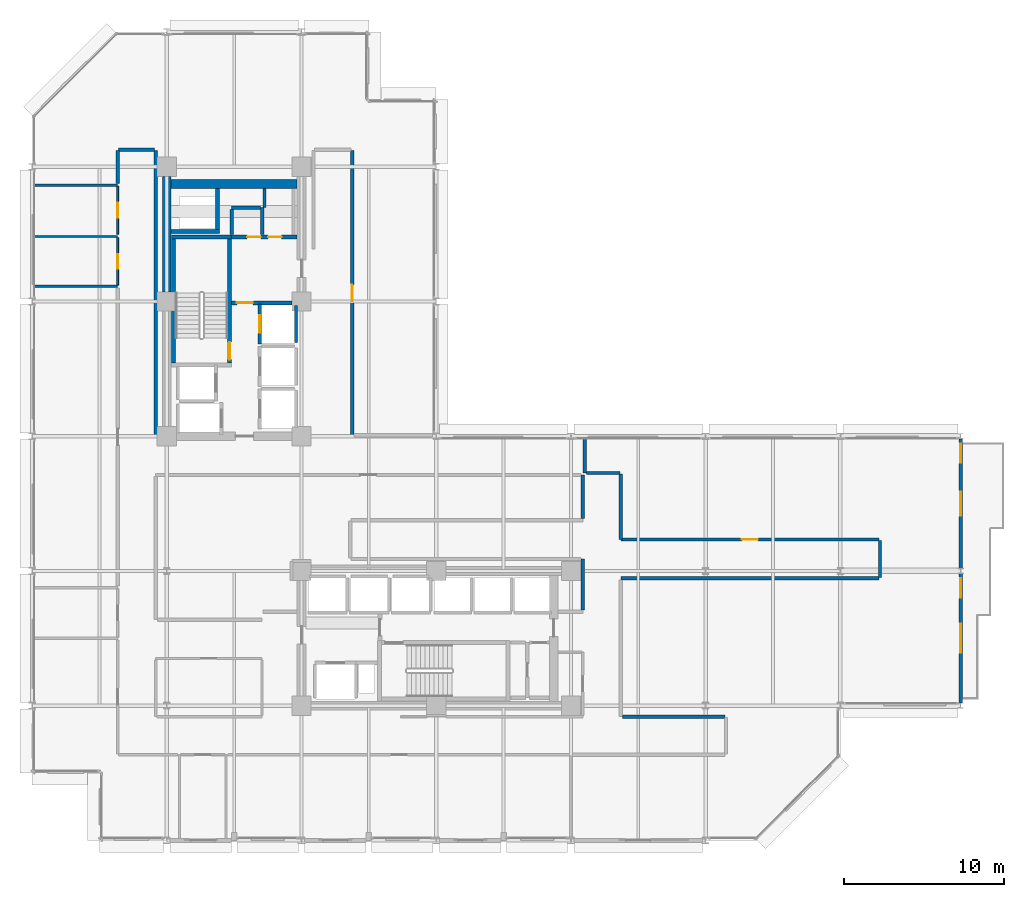
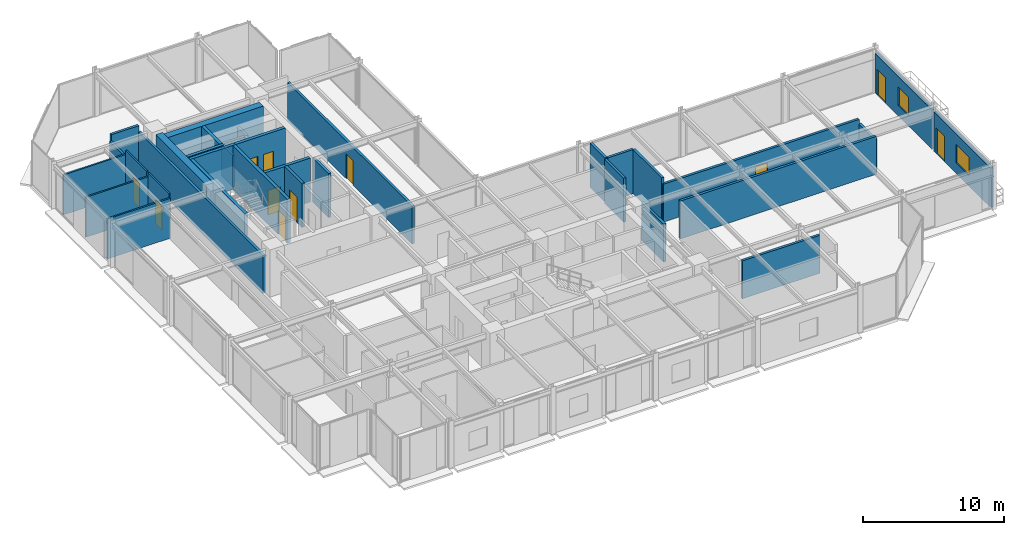
# One storey, part 34 of 39: 35 walls, 11 doors, 2 windows, 13 openings.
"""IFC4 building model written with IfcOpenShell, lengths in metres."""

from ifc_helpers import new_model, si_unit, direction, frame, frame_2d, origin, place, context, subcontext, project, spatial, rectangle, extrude, material, layer, layer_set, type_object, element, fill, save


model = new_model("IFC4")

# Units and contexts
model_context = context("Model", 3, precision=1e-05, world=origin(), true_north=direction((0.0, 1.0)))
body_context = subcontext(model_context, "Body", "Model", "MODEL_VIEW")
ifc_project = project(units=[si_unit("LENGTHUNIT", "METRE"), si_unit("AREAUNIT", "SQUARE_METRE"), si_unit("VOLUMEUNIT", "CUBIC_METRE"), si_unit("PLANEANGLEUNIT", "RADIAN"), si_unit("MASSUNIT", "GRAM", prefix="KILO")], contexts=[model_context])

# Site, building, storey
site_placement = place(None, origin())
site = spatial("IfcSite", under=ifc_project, at=site_placement, CompositionType="ELEMENT")
building_placement = place(site_placement, origin())
building = spatial("IfcBuilding", under=site, at=building_placement, Name="Nerrivon Quay Data Exchange", CompositionType="ELEMENT")
storey_placement = place(building_placement, frame((0.0, 0.0, 104.89990234375)))
storey = spatial("IfcBuildingStorey", under=building, at=storey_placement, Name="L24", CompositionType="ELEMENT", Elevation=104.89990234375)

# Wall, openings, door, window
ifc_material_1 = material(Name="Architectural terracotta precast concrete N50 (50 MPa)", Category="masonry")
ifc_layer_1 = layer(ifc_material_1, 0.239990234375)
ifc_layer_set_1 = layer_set([ifc_layer_1], Name="Architectural terracotta precast concrete N50 (50 MPa)")
wall_type_1 = type_object("IfcWallType", Name="EW-PREC-240", PredefinedType="STANDARD", material=ifc_layer_set_1)
wall_1_placement = place(storey_placement, frame((57.89990234375, 25.03662109375, 0.0), z_axis=(0.0, 0.0, 1.0), x_axis=(0.0, -1.0, 0.0)))
wall_1 = element("IfcWall", 1, at=wall_1_placement, inside=storey, type_object=wall_type_1, Name="L24 Terrace Host Wall 1", PredefinedType="STANDARD", context=body_context, shape_type="SweptSolid", body=[
    extrude(rectangle(XDim=8.0732421875, YDim=0.239990234375, at=frame_2d((4.03662109375, 0.0))), origin(), (0.0, 0.0, 1.0), 3.422119140625),
])
opening_1_placement = place(wall_1_placement, frame((0.300048828125, 0.0, 0.0)))
opening_1 = element("IfcOpeningElement", 2, at=opening_1_placement, cuts=wall_1, Name="Opening TD1", PredefinedType="OPENING", context=body_context, shape_type="SweptSolid", body=[
    extrude(rectangle(XDim=1.199951171875, YDim=2.199951171875, at=frame_2d((0.60009765625, 1.10009765625))), frame((0.0, 0.1298828125, 0.0), z_axis=(0.0, -1.0, 0.0), x_axis=(1.0, 0.0, 0.0)), (0.0, 0.0, 1.0), 0.260009765625),
])
opening_2_placement = place(wall_1_placement, frame((3.28662109375, 0.0, 0.89990234375)))
opening_2 = element("IfcOpeningElement", 3, at=opening_2_placement, cuts=wall_1, Name="Opening WN4", PredefinedType="OPENING", context=body_context, shape_type="SweptSolid", body=[
    extrude(rectangle(XDim=1.5, YDim=1.60009765625, at=frame_2d((0.75, 0.800048828125))), frame((0.0, 0.1298828125, 0.0), z_axis=(0.0, -1.0, 0.0), x_axis=(1.0, 0.0, 0.0)), (0.0, 0.0, 1.0), 0.260009765625),
])
ifc_material_2 = material(Name="Double-glazed low-E solar control glass", Category="glass")
door_type_1 = type_object("IfcDoorType", Name="DR-TERR-1200x2200", OperationType="NOTDEFINED", PredefinedType="DOOR", material=ifc_material_2)
door_1_placement = place(opening_1_placement, origin())
door_1 = element("IfcDoor", 4, at=door_1_placement, inside=storey, type_object=door_type_1, Name="L24 Outdoor Terrace Access Door 1", OperationType="SINGLE_SWING_RIGHT", OverallHeight=2.199951171875, OverallWidth=1.199951171875, PredefinedType="DOOR", context=body_context, shape_type="SweptSolid", body=[
    extrude(rectangle(XDim=1.199951171875, YDim=2.199951171875, at=frame_2d((0.60009765625, 1.10009765625))), frame((0.0, 0.02490234375, 0.0), z_axis=(0.0, -1.0, 0.0), x_axis=(1.0, 0.0, 0.0)), (0.0, 0.0, 1.0), 0.050048828125),
])
fill(opening_1, door_1)
window_type_1 = type_object("IfcWindowType", Name="WIN-W4-1500x1600", PartitioningType="SINGLE_PANEL", PredefinedType="WINDOW", material=ifc_material_2)
window_1_placement = place(opening_2_placement, origin())
window_1 = element("IfcWindow", 5, at=window_1_placement, inside=storey, type_object=window_type_1, Name="L24 Terrace Side Window 1", OverallHeight=1.60009765625, OverallWidth=1.5, PartitioningType="SINGLE_PANEL", PredefinedType="WINDOW", context=body_context, shape_type="SweptSolid", body=[
    extrude(rectangle(XDim=1.5, YDim=1.60009765625, at=frame_2d((0.75, 0.800048828125))), frame((0.0, 0.030029296875, 0.0), z_axis=(0.0, -1.0, 0.0), x_axis=(1.0, 0.0, 0.0)), (0.0, 0.0, 1.0), 0.06005859375),
])
fill(opening_2, window_1)

wall_2_placement = place(storey_placement, frame((57.89990234375, 16.636474609375, 0.0), z_axis=(0.0, 0.0, 1.0), x_axis=(0.0, -1.0, 0.0)))
wall_2 = element("IfcWall", 6, at=wall_2_placement, inside=storey, type_object=wall_type_1, Name="L24 Terrace Host Wall 2", PredefinedType="STANDARD", context=body_context, shape_type="SweptSolid", body=[
    extrude(rectangle(XDim=8.072998046875, YDim=0.239990234375, at=frame_2d((4.03662109375, 0.0))), origin(), (0.0, 0.0, 1.0), 3.422119140625),
])
opening_3_placement = place(wall_2_placement, frame((0.300048828125, 0.0, 0.0)))
opening_3 = element("IfcOpeningElement", 7, at=opening_3_placement, cuts=wall_2, Name="Opening TD1", PredefinedType="OPENING", context=body_context, shape_type="SweptSolid", body=[
    extrude(rectangle(XDim=1.199951171875, YDim=2.199951171875, at=frame_2d((0.60009765625, 1.10009765625))), frame((0.0, 0.1298828125, 0.0), z_axis=(0.0, -1.0, 0.0), x_axis=(1.0, 0.0, 0.0)), (0.0, 0.0, 1.0), 0.260009765625),
])
opening_4_placement = place(wall_2_placement, frame((3.136474609375, 0.0, 0.89990234375)))
opening_4 = element("IfcOpeningElement", 8, at=opening_4_placement, cuts=wall_2, Name="Opening WN2", PredefinedType="OPENING", context=body_context, shape_type="SweptSolid", body=[
    extrude(rectangle(XDim=1.800048828125, YDim=1.60009765625, at=frame_2d((0.89990234375, 0.800048828125))), frame((0.0, 0.1298828125, 0.0), z_axis=(0.0, -1.0, 0.0), x_axis=(1.0, 0.0, 0.0)), (0.0, 0.0, 1.0), 0.260009765625),
])
door_2_placement = place(opening_3_placement, origin())
door_2 = element("IfcDoor", 9, at=door_2_placement, inside=storey, type_object=door_type_1, Name="L24 Outdoor Terrace Access Door 2", OperationType="SINGLE_SWING_LEFT", OverallHeight=2.199951171875, OverallWidth=1.199951171875, PredefinedType="DOOR", context=body_context, shape_type="SweptSolid", body=[
    extrude(rectangle(XDim=1.199951171875, YDim=2.199951171875, at=frame_2d((0.60009765625, 1.10009765625))), frame((0.0, 0.02490234375, 0.0), z_axis=(0.0, -1.0, 0.0), x_axis=(1.0, 0.0, 0.0)), (0.0, 0.0, 1.0), 0.050048828125),
])
fill(opening_3, door_2)
window_type_2 = type_object("IfcWindowType", Name="WIN-W2-1800x1600", PartitioningType="SINGLE_PANEL", PredefinedType="WINDOW", material=ifc_material_2)
window_2_placement = place(opening_4_placement, origin())
window_2 = element("IfcWindow", 10, at=window_2_placement, inside=storey, type_object=window_type_2, Name="L24 Terrace Side Window 2", OverallHeight=1.60009765625, OverallWidth=1.800048828125, PartitioningType="SINGLE_PANEL", PredefinedType="WINDOW", context=body_context, shape_type="SweptSolid", body=[
    extrude(rectangle(XDim=1.800048828125, YDim=1.60009765625, at=frame_2d((0.89990234375, 0.800048828125))), frame((0.0, 0.030029296875, 0.0), z_axis=(0.0, -1.0, 0.0), x_axis=(1.0, 0.0, 0.0)), (0.0, 0.0, 1.0), 0.06005859375),
])
fill(opening_4, window_2)

# Walls
ifc_material_3 = material(Name="Concrete S65 (65 MPa)", Category="concrete")
ifc_layer_2 = layer(ifc_material_3, 0.550048828125)
ifc_layer_set_2 = layer_set([ifc_layer_2], Name="Concrete S65 (65 MPa)")
wall_type_2 = type_object("IfcWallType", Name="WALL-CW-700", PredefinedType="SHEAR", material=ifc_layer_set_2)
wall_3_placement = place(storey_placement, frame((8.39990234375, 34.199951171875, 0.0), z_axis=(0.0, 0.0, 1.0), x_axis=(0.0, 1.0, 0.0)))
element("IfcWall", 11, at=wall_3_placement, inside=storey, type_object=wall_type_2, Name="L24 West Split-Core Shear Wall WCW-W2", PredefinedType="SHEAR", context=body_context, shape_type="SweptSolid", body=[
    extrude(rectangle(XDim=7.199951171875, YDim=0.550048828125, at=frame_2d((3.60009765625, 0.0))), origin(), (0.0, 0.0, 1.0), 3.8251953125),
])
wall_4_placement = place(storey_placement, frame((8.675048828125, 40.925048828125, 0.0), z_axis=(0.0, 0.0, 1.0), x_axis=(1.0, 0.0, 0.0)))
element("IfcWall", 12, at=wall_4_placement, inside=storey, type_object=wall_type_2, Name="L24 West Split-Core Shear Wall WCW-N1", PredefinedType="SHEAR", context=body_context, shape_type="SweptSolid", body=[
    extrude(rectangle(XDim=7.849853515625, YDim=0.550048828125, at=frame_2d((3.9248046875, 0.0))), origin(), (0.0, 0.0, 1.0), 3.8251953125),
])

# Wall, opening, door
ifc_material_4 = material(Name="Gypsum plasterboard on cold-formed framing", Category="gypsum")
ifc_layer_3 = layer(ifc_material_4, 0.199951171875)
ifc_layer_set_3 = layer_set([ifc_layer_3], Name="Gypsum plasterboard on cold-formed framing")
wall_type_3 = type_object("IfcWallType", Name="WALL-FW-200", PredefinedType="PARTITIONING", material=ifc_layer_set_3)
wall_5_placement = place(storey_placement, frame((14.199951171875, 30.949951171875, 0.0), z_axis=(0.0, 0.0, 1.0), x_axis=(0.0, 1.0, 0.0)))
wall_5 = element("IfcWall", 13, at=wall_5_placement, inside=storey, type_object=wall_type_3, Name="L24 Lift Front Wall PL3", PredefinedType="PARTITIONING", context=body_context, shape_type="SweptSolid", body=[
    extrude(rectangle(XDim=2.5, YDim=0.199951171875, at=frame_2d((1.25, 0.0))), origin(), (0.0, 0.0, 1.0), 3.8251953125),
])
opening_5_placement = place(wall_5_placement, frame((0.699951171875, 0.0, 0.0)))
opening_5 = element("IfcOpeningElement", 14, at=opening_5_placement, cuts=wall_5, Name="Opening LD-120", PredefinedType="OPENING", context=body_context, shape_type="SweptSolid", body=[
    extrude(rectangle(XDim=1.10009765625, YDim=2.199951171875, at=frame_2d((0.550048828125, 1.10009765625))), frame((0.0, 0.10986328125, 0.0), z_axis=(0.0, -1.0, 0.0), x_axis=(1.0, 0.0, 0.0)), (0.0, 0.0, 1.0), 0.219970703125),
])
ifc_material_5 = material(Name="Powder-coated galvanized steel sheet", Category="steel")
door_type_2 = type_object("IfcDoorType", Name="DR-LIFT-LD120", OperationType="DOUBLE_DOOR_SLIDING", PredefinedType="DOOR", material=ifc_material_5)
door_3_placement = place(opening_5_placement, origin())
door_3 = element("IfcDoor", 15, at=door_3_placement, inside=storey, type_object=door_type_2, Name="L24 Lift Landing Sliding Door PL3", OperationType="DOUBLE_DOOR_SLIDING", OverallHeight=2.199951171875, OverallWidth=1.10009765625, PredefinedType="DOOR", context=body_context, shape_type="SweptSolid", body=[
    extrude(rectangle(XDim=1.10009765625, YDim=2.199951171875, at=frame_2d((0.550048828125, 1.10009765625))), frame((0.0, 0.02490234375, 0.0), z_axis=(0.0, -1.0, 0.0), x_axis=(1.0, 0.0, 0.0)), (0.0, 0.0, 1.0), 0.050048828125),
])
fill(opening_5, door_3)

# Walls
wall_6_placement = place(storey_placement, frame((16.449951171875, 31.050048828125, 0.0), z_axis=(0.0, 0.0, 1.0), x_axis=(0.0, 1.0, 0.0)))
element("IfcWall", 16, at=wall_6_placement, inside=storey, type_object=wall_type_3, Name="L24 Lift Shaft Wall PL3 EAST", PredefinedType="PARTITIONING", context=body_context, shape_type="SweptSolid", body=[
    extrude(rectangle(XDim=2.300048828125, YDim=0.199951171875, at=frame_2d((1.14990234375, 0.0))), origin(), (0.0, 0.0, 1.0), 3.8251953125),
])
wall_7_placement = place(storey_placement, frame((14.35009765625, 37.780029296875, 0.0), z_axis=(0.0, 0.0, 1.0), x_axis=(0.0, 1.0, 0.0)))
element("IfcWall", 17, at=wall_7_placement, inside=storey, type_object=wall_type_3, Name="L24 Partition Equipment Store", PredefinedType="PARTITIONING", context=body_context, shape_type="SweptSolid", body=[
    extrude(rectangle(XDim=1.669921875, YDim=0.199951171875, at=frame_2d((0.8349609375, 0.0))), origin(), (0.0, 0.0, 1.0), 2.72509765625),
])
wall_8_placement = place(storey_placement, frame((14.24609375, 39.449951171875, 0.0), z_axis=(0.0, 0.0, 1.0), x_axis=(-1.0, 0.0, 0.0)))
element("IfcWall", 18, at=wall_8_placement, inside=storey, type_object=wall_type_3, Name="L24 Partition Equipment Store", PredefinedType="PARTITIONING", context=body_context, shape_type="SweptSolid", body=[
    extrude(rectangle(XDim=1.796142578125, YDim=0.199951171875, at=frame_2d((0.89794921875, 0.0))), origin(), (0.0, 0.0, 1.0), 2.72509765625),
])
wall_9_placement = place(storey_placement, frame((12.449951171875, 39.345947265625, 0.0), z_axis=(0.0, 0.0, 1.0), x_axis=(0.0, -1.0, 0.0)))
element("IfcWall", 19, at=wall_9_placement, inside=storey, type_object=wall_type_3, Name="L24 Partition Equipment Store", PredefinedType="PARTITIONING", context=body_context, shape_type="SweptSolid", body=[
    extrude(rectangle(XDim=1.56591796875, YDim=0.199951171875, at=frame_2d((0.782958984375, 0.0))), origin(), (0.0, 0.0, 1.0), 2.72509765625),
])
wall_10_placement = place(storey_placement, frame((14.489990234375, 40.64599609375, 0.0), z_axis=(0.0, 0.0, 1.0), x_axis=(0.0, -1.0, 0.0)))
element("IfcWall", 20, at=wall_10_placement, inside=storey, type_object=wall_type_3, Name="L24 Partition Cleaners Store", PredefinedType="PARTITIONING", context=body_context, shape_type="SweptSolid", body=[
    extrude(rectangle(XDim=1.196044921875, YDim=0.199951171875, at=frame_2d((0.59814453125, 0.0))), origin(), (0.0, 0.0, 1.0), 2.72509765625),
])
wall_11_placement = place(storey_placement, frame((34.340087890625, 14.364013671875, 0.0), z_axis=(0.0, 0.0, 1.0), x_axis=(0.0, 1.0, 0.0)))
element("IfcWall", 21, at=wall_11_placement, inside=storey, type_object=wall_type_3, Name="L24 Partition Colocation Data Workspace 6", PredefinedType="PARTITIONING", context=body_context, shape_type="SweptSolid", body=[
    extrude(rectangle(XDim=3.176025390625, YDim=0.199951171875, at=frame_2d((1.587890625, 0.0))), origin(), (0.0, 0.0, 1.0), 3.2919921875),
])
wall_12_placement = place(storey_placement, frame((34.340087890625, 20.06396484375, 0.0), z_axis=(0.0, 0.0, 1.0), x_axis=(0.0, 1.0, 0.0)))
element("IfcWall", 22, at=wall_12_placement, inside=storey, type_object=wall_type_3, Name="L24 Partition Colocation Data Workspace 6", PredefinedType="PARTITIONING", context=body_context, shape_type="SweptSolid", body=[
    extrude(rectangle(XDim=2.72607421875, YDim=0.199951171875, at=frame_2d((1.363037109375, 0.0))), origin(), (0.0, 0.0, 1.0), 3.8251953125),
])
wall_13_placement = place(storey_placement, frame((5.340087890625, 40.969970703125, 0.0), z_axis=(0.0, 0.0, 1.0), x_axis=(0.0, 1.0, 0.0)))
element("IfcWall", 23, at=wall_13_placement, inside=storey, type_object=wall_type_3, Name="L24 Partition Colocation Data Workspace 7", PredefinedType="PARTITIONING", context=body_context, shape_type="SweptSolid", body=[
    extrude(rectangle(XDim=2.030029296875, YDim=0.199951171875, at=frame_2d((1.01513671875, 0.0))), origin(), (0.0, 0.0, 1.0), 3.2919921875),
])
wall_14_placement = place(storey_placement, frame((5.39990234375, 43.06005859375, 0.0), z_axis=(0.0, 0.0, 1.0), x_axis=(1.0, 0.0, 0.0)))
element("IfcWall", 24, at=wall_14_placement, inside=storey, type_object=wall_type_3, Name="L24 Partition Colocation Data Workspace 7", PredefinedType="PARTITIONING", context=body_context, shape_type="SweptSolid", body=[
    extrude(rectangle(XDim=2.25, YDim=0.199951171875, at=frame_2d((1.125, 0.0))), origin(), (0.0, 0.0, 1.0), 3.8251953125),
])
wall_15_placement = place(storey_placement, frame((7.7099609375, 43.0, 0.0), z_axis=(0.0, 0.0, 1.0), x_axis=(0.0, -1.0, 0.0)))
element("IfcWall", 25, at=wall_15_placement, inside=storey, type_object=wall_type_3, Name="L24 Partition Colocation Data Workspace 7", PredefinedType="PARTITIONING", context=body_context, shape_type="SweptSolid", body=[
    extrude(rectangle(XDim=17.739990234375, YDim=0.199951171875, at=frame_2d((8.8701171875, 0.0))), origin(), (0.0, 0.0, 1.0), 3.2919921875),
])

# Wall, opening, door
wall_16_placement = place(storey_placement, frame((19.9599609375, 43.0, 0.0), z_axis=(0.0, 0.0, 1.0), x_axis=(0.0, -1.0, 0.0)))
wall_16 = element("IfcWall", 26, at=wall_16_placement, inside=storey, type_object=wall_type_3, Name="L24 Partition Colocation Data Workspace 7", PredefinedType="PARTITIONING", context=body_context, shape_type="SweptSolid", body=[
    extrude(rectangle(XDim=17.739990234375, YDim=0.199951171875, at=frame_2d((8.8701171875, 0.0))), origin(), (0.0, 0.0, 1.0), 3.2919921875),
])
opening_6_placement = place(wall_16_placement, frame((8.3701171875, 0.0, 0.0)))
opening_6 = element("IfcOpeningElement", 27, at=opening_6_placement, cuts=wall_16, Name="Opening FD-60", PredefinedType="OPENING", context=body_context, shape_type="SweptSolid", body=[
    extrude(rectangle(XDim=1.0, YDim=2.14990234375, at=frame_2d((0.5, 1.074951171875))), frame((0.0, 0.10986328125, 0.0), z_axis=(0.0, -1.0, 0.0), x_axis=(1.0, 0.0, 0.0)), (0.0, 0.0, 1.0), 0.219970703125),
])
ifc_material_6 = material(Name="Engineered hardwood timber", Category="wood")
door_type_3 = type_object("IfcDoorType", Name="DR-FD60-1000", OperationType="NOTDEFINED", PredefinedType="DOOR", material=ifc_material_6)
door_4_placement = place(opening_6_placement, origin())
door_4 = element("IfcDoor", 28, at=door_4_placement, inside=storey, type_object=door_type_3, Name="L24 Door Colocation Data Workspace 7", OperationType="SINGLE_SWING_LEFT", OverallHeight=2.14990234375, OverallWidth=1.0, PredefinedType="DOOR", context=body_context, shape_type="SweptSolid", body=[
    extrude(rectangle(XDim=1.0, YDim=2.14990234375, at=frame_2d((0.5, 1.074951171875))), frame((0.0, 0.02490234375, 0.0), z_axis=(0.0, -1.0, 0.0), x_axis=(1.0, 0.0, 0.0)), (0.0, 0.0, 1.0), 0.050048828125),
])
fill(opening_6, door_4)

# Walls
wall_17_placement = place(storey_placement, frame((34.4599609375, 25.031005859375, 0.0), z_axis=(0.0, 0.0, 1.0), x_axis=(0.0, -1.0, 0.0)))
element("IfcWall", 29, at=wall_17_placement, inside=storey, type_object=wall_type_3, Name="L24 Partition Colocation Data Workspace 8", PredefinedType="PARTITIONING", context=body_context, shape_type="SweptSolid", body=[
    extrude(rectangle(XDim=2.12109375, YDim=0.199951171875, at=frame_2d((1.060546875, 0.0))), origin(), (0.0, 0.0, 1.0), 3.8251953125),
])
wall_18_placement = place(storey_placement, frame((34.56396484375, 22.909912109375, 0.0), z_axis=(0.0, 0.0, 1.0), x_axis=(1.0, 0.0, 0.0)))
element("IfcWall", 30, at=wall_18_placement, inside=storey, type_object=wall_type_3, Name="L24 Partition Colocation Data Workspace 8", PredefinedType="PARTITIONING", context=body_context, shape_type="SweptSolid", body=[
    extrude(rectangle(XDim=2.0859375, YDim=0.199951171875, at=frame_2d((1.04296875, 0.0))), origin(), (0.0, 0.0, 1.0), 3.8251953125),
])
wall_19_placement = place(storey_placement, frame((36.7099609375, 22.85009765625, 0.0), z_axis=(0.0, 0.0, 1.0), x_axis=(0.0, -1.0, 0.0)))
element("IfcWall", 31, at=wall_19_placement, inside=storey, type_object=wall_type_3, Name="L24 Partition Colocation Data Workspace 8", PredefinedType="PARTITIONING", context=body_context, shape_type="SweptSolid", body=[
    extrude(rectangle(XDim=4.090087890625, YDim=0.199951171875, at=frame_2d((2.044921875, 0.0))), origin(), (0.0, 0.0, 1.0), 3.8251953125),
])

# Wall, opening, door
wall_20_placement = place(storey_placement, frame((36.7099609375, 18.760009765625, 0.0), z_axis=(0.0, 0.0, 1.0), x_axis=(0.999999999885, -1.5167832e-05, 0.0)))
wall_20 = element("IfcWall", 32, at=wall_20_placement, inside=storey, type_object=wall_type_3, Name="L24 Partition Colocation Data Workspace 8", PredefinedType="PARTITIONING", context=body_context, shape_type="SweptSolid", body=[
    extrude(rectangle(XDim=16.095947265625, YDim=0.199951171875, at=frame_2d((8.0478515625, 0.0))), origin(), (0.0, 0.0, 1.0), 3.297119140625),
])
opening_7_placement = place(wall_20_placement, frame((7.548095703125, 0.0, 0.0)))
opening_7 = element("IfcOpeningElement", 33, at=opening_7_placement, cuts=wall_20, Name="Opening FD-60", PredefinedType="OPENING", context=body_context, shape_type="SweptSolid", body=[
    extrude(rectangle(XDim=1.0, YDim=2.14990234375, at=frame_2d((0.5, 1.074951171875))), frame((0.0, 0.10986328125, 0.0), z_axis=(0.0, -1.0, 0.0), x_axis=(1.0, 0.0, 0.0)), (0.0, 0.0, 1.0), 0.219970703125),
])
door_5_placement = place(opening_7_placement, origin())
door_5 = element("IfcDoor", 34, at=door_5_placement, inside=storey, type_object=door_type_3, Name="L24 Door Colocation Data Workspace 8", OperationType="SINGLE_SWING_RIGHT", OverallHeight=2.14990234375, OverallWidth=1.0, PredefinedType="DOOR", context=body_context, shape_type="SweptSolid", body=[
    extrude(rectangle(XDim=1.0, YDim=2.14990234375, at=frame_2d((0.5, 1.074951171875))), frame((0.0, 0.02490234375, 0.0), z_axis=(0.0, -1.0, 0.0), x_axis=(1.0, 0.0, 0.0)), (0.0, 0.0, 1.0), 0.050048828125),
])
fill(opening_7, door_5)

# Walls
wall_21_placement = place(storey_placement, frame((52.860107421875, 18.699951171875, 0.0), z_axis=(0.0, 0.0, 1.0), x_axis=(0.0, -1.0, 0.0)))
element("IfcWall", 35, at=wall_21_placement, inside=storey, type_object=wall_type_3, Name="L24 Partition Colocation Data Workspace 8", PredefinedType="PARTITIONING", context=body_context, shape_type="SweptSolid", body=[
    extrude(rectangle(XDim=2.300048828125, YDim=0.199951171875, at=frame_2d((1.14990234375, 0.0))), origin(), (0.0, 0.0, 1.0), 2.9150390625),
])
wall_22_placement = place(storey_placement, frame((52.800048828125, 16.340087890625, 0.0), z_axis=(0.0, 0.0, 1.0), x_axis=(-1.0, 0.0, 0.0)))
element("IfcWall", 36, at=wall_22_placement, inside=storey, type_object=wall_type_3, Name="L24 Partition Colocation Data Workspace 8", PredefinedType="PARTITIONING", context=body_context, shape_type="SweptSolid", body=[
    extrude(rectangle(XDim=16.090087890625, YDim=0.199951171875, at=frame_2d((8.044921875, 0.0))), origin(), (0.0, 0.0, 1.0), 3.297119140625),
])
wall_23_placement = place(storey_placement, frame((36.81396484375, 7.7099609375, 0.0), z_axis=(0.0, 0.0, 1.0), x_axis=(1.0, 0.0, 0.0)))
element("IfcWall", 37, at=wall_23_placement, inside=storey, type_object=wall_type_3, Name="L24 Partition Colocation Data Workspace 8", PredefinedType="PARTITIONING", context=body_context, shape_type="SweptSolid", body=[
    extrude(rectangle(XDim=6.385986328125, YDim=0.199951171875, at=frame_2d((3.19287109375, 0.0))), origin(), (0.0, 0.0, 1.0), 3.297119140625),
])

# Wall, opening, door
ifc_layer_4 = layer(ifc_material_4, 0.1201171875)
ifc_layer_set_4 = layer_set([ifc_layer_4], Name="Gypsum plasterboard on cold-formed framing")
wall_type_4 = type_object("IfcWallType", Name="WALL-PT-120", PredefinedType="PARTITIONING", material=ifc_layer_set_4)
wall_24_placement = place(storey_placement, frame((5.340087890625, 34.62158203125, 0.0), z_axis=(0.0, 0.0, 1.0), x_axis=(0.0, 1.0, 0.0)))
wall_24 = element("IfcWall", 38, at=wall_24_placement, inside=storey, type_object=wall_type_4, Name="L24 Partition Public Washrooms", PredefinedType="PARTITIONING", context=body_context, shape_type="SweptSolid", body=[
    extrude(rectangle(XDim=2.95703125, YDim=0.1201171875, at=frame_2d((1.478515625, 0.0))), origin(), (0.0, 0.0, 1.0), 3.8251953125),
])
opening_8_placement = place(wall_24_placement, frame((1.0185546875, 0.0, 0.0)))
opening_8 = element("IfcOpeningElement", 39, at=opening_8_placement, cuts=wall_24, Name="Opening D-WC", PredefinedType="OPENING", context=body_context, shape_type="SweptSolid", body=[
    extrude(rectangle(XDim=0.919921875, YDim=2.10009765625, at=frame_2d((0.4599609375, 1.050048828125))), frame((0.0, 0.070068359375, 0.0), z_axis=(0.0, -1.0, 0.0), x_axis=(1.0, 0.0, 0.0)), (0.0, 0.0, 1.0), 0.14013671875),
])
door_type_4 = type_object("IfcDoorType", Name="DR-WC-920", OperationType="NOTDEFINED", PredefinedType="DOOR", material=ifc_material_6)
door_6_placement = place(opening_8_placement, origin())
door_6 = element("IfcDoor", 40, at=door_6_placement, inside=storey, type_object=door_type_4, Name="L24 Door Public Washrooms", OperationType="SINGLE_SWING_RIGHT", OverallHeight=2.10009765625, OverallWidth=0.919921875, PredefinedType="DOOR", context=body_context, shape_type="SweptSolid", body=[
    extrude(rectangle(XDim=0.919921875, YDim=2.10009765625, at=frame_2d((0.4599609375, 1.050048828125))), frame((0.0, 0.02490234375, 0.0), z_axis=(0.0, -1.0, 0.0), x_axis=(1.0, 0.0, 0.0)), (0.0, 0.0, 1.0), 0.050048828125),
])
fill(opening_8, door_6)

wall_25_placement = place(storey_placement, frame((5.340087890625, 37.800048828125, 0.0), z_axis=(0.0, 0.0, 1.0), x_axis=(0.0, 1.0, 0.0)))
wall_25 = element("IfcWall", 41, at=wall_25_placement, inside=storey, type_object=wall_type_4, Name="L24 Partition Staff Shower Block", PredefinedType="PARTITIONING", context=body_context, shape_type="SweptSolid", body=[
    extrude(rectangle(XDim=2.978515625, YDim=0.1201171875, at=frame_2d((1.4892578125, 0.0))), origin(), (0.0, 0.0, 1.0), 3.8251953125),
])
opening_9_placement = place(wall_25_placement, frame((1.029296875, 0.0, 0.0)))
opening_9 = element("IfcOpeningElement", 42, at=opening_9_placement, cuts=wall_25, Name="Opening D-WC", PredefinedType="OPENING", context=body_context, shape_type="SweptSolid", body=[
    extrude(rectangle(XDim=0.919921875, YDim=2.10009765625, at=frame_2d((0.4599609375, 1.050048828125))), frame((0.0, 0.070068359375, 0.0), z_axis=(0.0, -1.0, 0.0), x_axis=(1.0, 0.0, 0.0)), (0.0, 0.0, 1.0), 0.14013671875),
])
door_7_placement = place(opening_9_placement, origin())
door_7 = element("IfcDoor", 43, at=door_7_placement, inside=storey, type_object=door_type_4, Name="L24 Door Staff Shower Block", OperationType="SINGLE_SWING_LEFT", OverallHeight=2.10009765625, OverallWidth=0.919921875, PredefinedType="DOOR", context=body_context, shape_type="SweptSolid", body=[
    extrude(rectangle(XDim=0.919921875, YDim=2.10009765625, at=frame_2d((0.4599609375, 1.050048828125))), frame((0.0, 0.02490234375, 0.0), z_axis=(0.0, -1.0, 0.0), x_axis=(1.0, 0.0, 0.0)), (0.0, 0.0, 1.0), 0.050048828125),
])
fill(opening_9, door_7)

# Walls
ifc_layer_5 = layer(ifc_material_4, 0.135009765625)
ifc_layer_set_5 = layer_set([ifc_layer_5], Name="Gypsum plasterboard on cold-formed framing")
wall_type_5 = type_object("IfcWallType", Name="WALL-PT-135", PredefinedType="PARTITIONING", material=ifc_layer_set_5)
for number, where, z_axis, x_axis, name in (
    (44, (5.340087890625, 37.64990234375, 0.0), (0.0, 0.0, 1.0), (-1.0, 0.0, 0.0), "L24 Partition Public Washrooms"),
    (45, (0.1689453125, 34.550048828125, 0.0), (0.0, 0.0, 1.0), (1.0, 0.0, 0.0), "L24 Partition Public Washrooms"),
    (46, (5.340087890625, 40.85009765625, 0.0), (0.0, 0.0, 1.0), (-1.0, 0.0, 0.0), "L24 Partition Staff Shower Block"),
):
    element("IfcWall", number, at=place(storey_placement, frame(where, z_axis=z_axis, x_axis=x_axis)), inside=storey, type_object=wall_type_5, Name=name, PredefinedType="PARTITIONING", context=body_context, shape_type="SweptSolid", body=[
        extrude(rectangle(XDim=5.171142578125, YDim=0.135009765625, at=frame_2d((2.58544921875, 0.0))), origin(), (0.0, 0.0, 1.0), 3.468994140625),
    ])
ifc_material_7 = material(Name="Concrete N50 (50 MPa)", Category="concrete")
ifc_layer_6 = layer(ifc_material_7, 0.25)
ifc_layer_set_6 = layer_set([ifc_layer_6], Name="Concrete N50 (50 MPa)")
wall_type_6 = type_object("IfcWallType", Name="WALL-SW-250", PredefinedType="SHEAR", material=ifc_layer_set_6)
wall_26_placement = place(storey_placement, frame((12.449951171875, 37.625, 0.0), z_axis=(0.0, 0.0, 1.0), x_axis=(-1.0, 0.0, 0.0)))
element("IfcWall", 47, at=wall_26_placement, inside=storey, type_object=wall_type_6, Name="L24 ST01 Structural Stair Core Wall FAR", PredefinedType="SHEAR", context=body_context, shape_type="SweptSolid", body=[
    extrude(rectangle(XDim=3.75, YDim=0.25, at=frame_2d((1.875, 0.0))), origin(), (0.0, 0.0, 1.0), 3.8251953125),
])

# Wall, opening, door
wall_27_placement = place(storey_placement, frame((12.324951171875, 29.75, 0.0), z_axis=(0.0, 0.0, 1.0), x_axis=(0.0, 1.0, 0.0)))
wall_27 = element("IfcWall", 48, at=wall_27_placement, inside=storey, type_object=wall_type_6, Name="L24 ST01 Structural Stair Core Wall LEFT", PredefinedType="SHEAR", context=body_context, shape_type="SweptSolid", body=[
    extrude(rectangle(XDim=7.75, YDim=0.25, at=frame_2d((3.875, 0.0))), origin(), (0.0, 0.0, 1.0), 3.8251953125),
])
opening_10_placement = place(wall_27_placement, frame((0.219970703125, 0.0, 0.0)))
opening_10 = element("IfcOpeningElement", 49, at=opening_10_placement, cuts=wall_27, Name="Opening FD-120", PredefinedType="OPENING", context=body_context, shape_type="SweptSolid", body=[
    extrude(rectangle(XDim=1.10009765625, YDim=2.14990234375, at=frame_2d((0.550048828125, 1.074951171875))), frame((0.0, 0.135009765625, 0.0), z_axis=(0.0, -1.0, 0.0), x_axis=(1.0, 0.0, 0.0)), (0.0, 0.0, 1.0), 0.27001953125),
])
door_type_5 = type_object("IfcDoorType", Name="DR-FD120-1100", OperationType="NOTDEFINED", PredefinedType="DOOR", material=ifc_material_5)
door_8_placement = place(opening_10_placement, origin())
door_8 = element("IfcDoor", 50, at=door_8_placement, inside=storey, type_object=door_type_5, Name="L24 Protected Stair Door ST01", OperationType="SINGLE_SWING_LEFT", OverallHeight=2.14990234375, OverallWidth=1.10009765625, PredefinedType="DOOR", context=body_context, shape_type="SweptSolid", body=[
    extrude(rectangle(XDim=1.10009765625, YDim=2.14990234375, at=frame_2d((0.550048828125, 1.074951171875))), frame((0.0, 0.02490234375, 0.0), z_axis=(0.0, -1.0, 0.0), x_axis=(1.0, 0.0, 0.0)), (0.0, 0.0, 1.0), 0.050048828125),
])
fill(opening_10, door_8)

# Walls
wall_28_placement = place(storey_placement, frame((8.824951171875, 29.75, 0.0), z_axis=(0.0, 0.0, 1.0), x_axis=(0.0, 1.0, 0.0)))
element("IfcWall", 51, at=wall_28_placement, inside=storey, type_object=wall_type_6, Name="L24 ST01 Structural Stair Core Wall RIGHT", PredefinedType="SHEAR", context=body_context, shape_type="SweptSolid", body=[
    extrude(rectangle(XDim=7.75, YDim=0.25, at=frame_2d((3.875, 0.0))), origin(), (0.0, 0.0, 1.0), 3.8251953125),
])
wall_29_placement = place(storey_placement, frame((8.675048828125, 37.97509765625, 0.0), z_axis=(0.0, 0.0, 1.0), x_axis=(1.0, 0.0, 0.0)))
element("IfcWall", 52, at=wall_29_placement, inside=storey, type_object=wall_type_6, Name="L24 West Core MEP Riser Shaft Wall S", PredefinedType="SHEAR", context=body_context, shape_type="SweptSolid", body=[
    extrude(rectangle(XDim=3.02490234375, YDim=0.25, at=frame_2d((1.512451171875, 0.0))), origin(), (0.0, 0.0, 1.0), 3.8251953125),
])
wall_30_placement = place(storey_placement, frame((11.574951171875, 38.10009765625, 0.0), z_axis=(0.0, 0.0, 1.0), x_axis=(0.0, 1.0, 0.0)))
element("IfcWall", 53, at=wall_30_placement, inside=storey, type_object=wall_type_6, Name="L24 West Core MEP Riser Shaft Wall E", PredefinedType="SHEAR", context=body_context, shape_type="SweptSolid", body=[
    extrude(rectangle(XDim=2.5498046875, YDim=0.25, at=frame_2d((1.27490234375, 0.0))), origin(), (0.0, 0.0, 1.0), 3.8251953125),
])

# Wall, opening, door
wall_31_placement = place(storey_placement, frame((12.449951171875, 33.52001953125, 0.0), z_axis=(0.0, 0.0, 1.0), x_axis=(1.0, 0.0, 0.0)))
wall_31 = element("IfcWall", 54, at=wall_31_placement, inside=storey, type_object=wall_type_6, Name="L24 West Lobby Smoke-Stop Wall", PredefinedType="SHEAR", context=body_context, shape_type="SweptSolid", body=[
    extrude(rectangle(XDim=3.75, YDim=0.25, at=frame_2d((1.875, 0.0))), origin(), (0.0, 0.0, 1.0), 3.8251953125),
])
opening_11_placement = place(wall_31_placement, frame((0.320068359375, 0.0, 0.0)))
opening_11 = element("IfcOpeningElement", 55, at=opening_11_placement, cuts=wall_31, Name="Opening FD-60", PredefinedType="OPENING", context=body_context, shape_type="SweptSolid", body=[
    extrude(rectangle(XDim=1.0, YDim=2.14990234375, at=frame_2d((0.5, 1.074951171875))), frame((0.0, 0.135009765625, 0.0), z_axis=(0.0, -1.0, 0.0), x_axis=(1.0, 0.0, 0.0)), (0.0, 0.0, 1.0), 0.27001953125),
])
door_9_placement = place(opening_11_placement, origin())
door_9 = element("IfcDoor", 56, at=door_9_placement, inside=storey, type_object=door_type_3, Name="L24 West Firefighting Lobby Fire Door", OperationType="SINGLE_SWING_LEFT", OverallHeight=2.14990234375, OverallWidth=1.0, PredefinedType="DOOR", context=body_context, shape_type="SweptSolid", body=[
    extrude(rectangle(XDim=1.0, YDim=2.14990234375, at=frame_2d((0.5, 1.074951171875))), frame((0.0, 0.02490234375, 0.0), z_axis=(0.0, -1.0, 0.0), x_axis=(1.0, 0.0, 0.0)), (0.0, 0.0, 1.0), 0.050048828125),
])
fill(opening_11, door_9)

# Wall, openings, doors
wall_32_placement = place(storey_placement, frame((12.449951171875, 37.625, 0.0), z_axis=(0.0, 0.0, 1.0), x_axis=(1.0, 0.0, 0.0)))
wall_32 = element("IfcWall", 57, at=wall_32_placement, inside=storey, type_object=wall_type_6, Name="L24 West Firefighting Lobby Wall", PredefinedType="SHEAR", context=body_context, shape_type="SweptSolid", body=[
    extrude(rectangle(XDim=4.074951171875, YDim=0.25, at=frame_2d((2.03759765625, 0.0))), origin(), (0.0, 0.0, 1.0), 3.8251953125),
])
opening_12_placement = place(wall_32_placement, frame((0.96044921875, 0.0, 0.0)))
opening_12 = element("IfcOpeningElement", 58, at=opening_12_placement, cuts=wall_32, Name="Opening FD-60S", PredefinedType="OPENING", context=body_context, shape_type="SweptSolid", body=[
    extrude(rectangle(XDim=0.85009765625, YDim=2.14990234375, at=frame_2d((0.425048828125, 1.074951171875))), frame((0.0, 0.135009765625, 0.0), z_axis=(0.0, -1.0, 0.0), x_axis=(1.0, 0.0, 0.0)), (0.0, 0.0, 1.0), 0.27001953125),
])
opening_13_placement = place(wall_32_placement, frame((2.264404296875, 0.0, 0.0)))
opening_13 = element("IfcOpeningElement", 59, at=opening_13_placement, cuts=wall_32, Name="Opening FD-60S", PredefinedType="OPENING", context=body_context, shape_type="SweptSolid", body=[
    extrude(rectangle(XDim=0.85009765625, YDim=2.14990234375, at=frame_2d((0.425048828125, 1.074951171875))), frame((0.0, 0.135009765625, 0.0), z_axis=(0.0, -1.0, 0.0), x_axis=(1.0, 0.0, 0.0)), (0.0, 0.0, 1.0), 0.27001953125),
])
door_type_6 = type_object("IfcDoorType", Name="DR-FD60-850", OperationType="NOTDEFINED", PredefinedType="DOOR", material=ifc_material_6)
door_10_placement = place(opening_12_placement, origin())
door_10 = element("IfcDoor", 60, at=door_10_placement, inside=storey, type_object=door_type_6, Name="L24 Door Equipment Store", OperationType="SINGLE_SWING_LEFT", OverallHeight=2.14990234375, OverallWidth=0.85009765625, PredefinedType="DOOR", context=body_context, shape_type="SweptSolid", body=[
    extrude(rectangle(XDim=0.85009765625, YDim=2.14990234375, at=frame_2d((0.425048828125, 1.074951171875))), frame((0.0, 0.02490234375, 0.0), z_axis=(0.0, -1.0, 0.0), x_axis=(1.0, 0.0, 0.0)), (0.0, 0.0, 1.0), 0.050048828125),
])
fill(opening_12, door_10)
door_11_placement = place(opening_13_placement, origin())
door_11 = element("IfcDoor", 61, at=door_11_placement, inside=storey, type_object=door_type_6, Name="L24 Door Cleaners Store", OperationType="SINGLE_SWING_RIGHT", OverallHeight=2.14990234375, OverallWidth=0.85009765625, PredefinedType="DOOR", context=body_context, shape_type="SweptSolid", body=[
    extrude(rectangle(XDim=0.85009765625, YDim=2.14990234375, at=frame_2d((0.425048828125, 1.074951171875))), frame((0.0, 0.02490234375, 0.0), z_axis=(0.0, -1.0, 0.0), x_axis=(1.0, 0.0, 0.0)), (0.0, 0.0, 1.0), 0.050048828125),
])
fill(opening_13, door_11)

save(model, "model.ifc")
